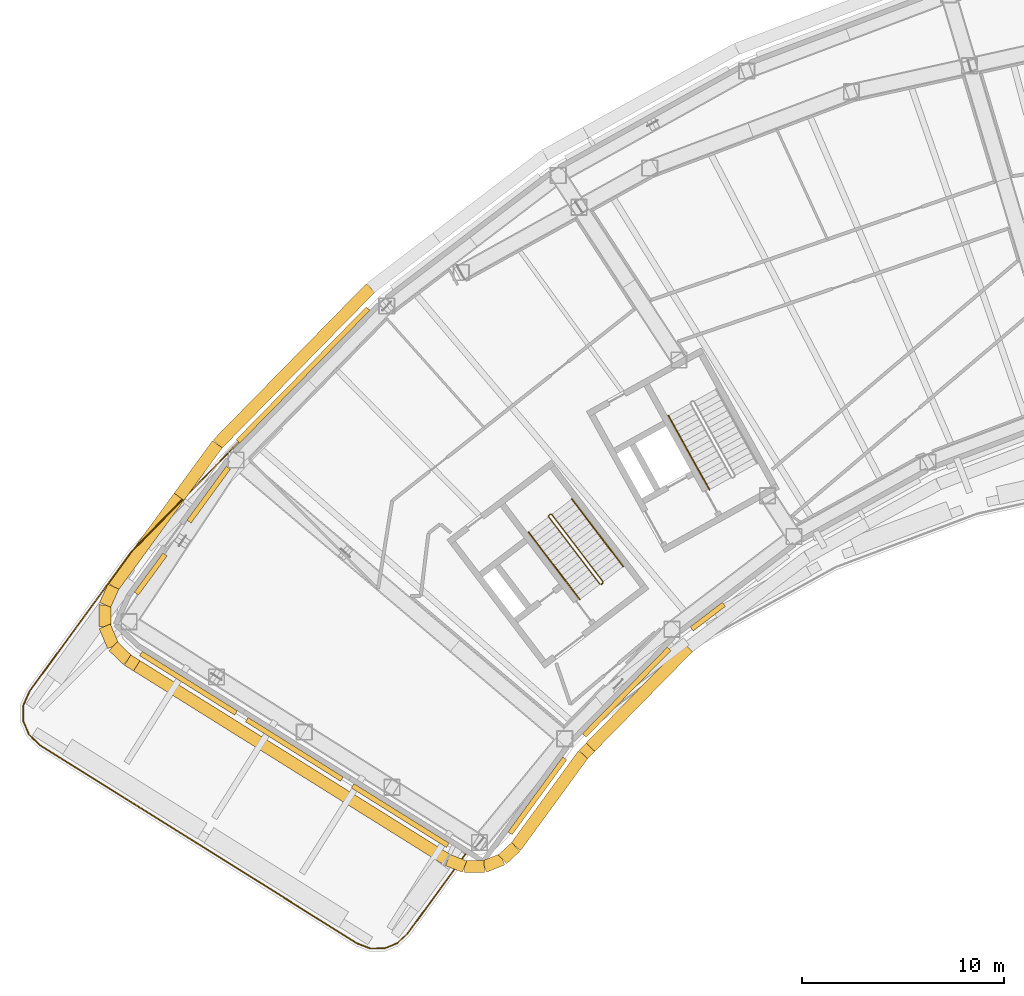
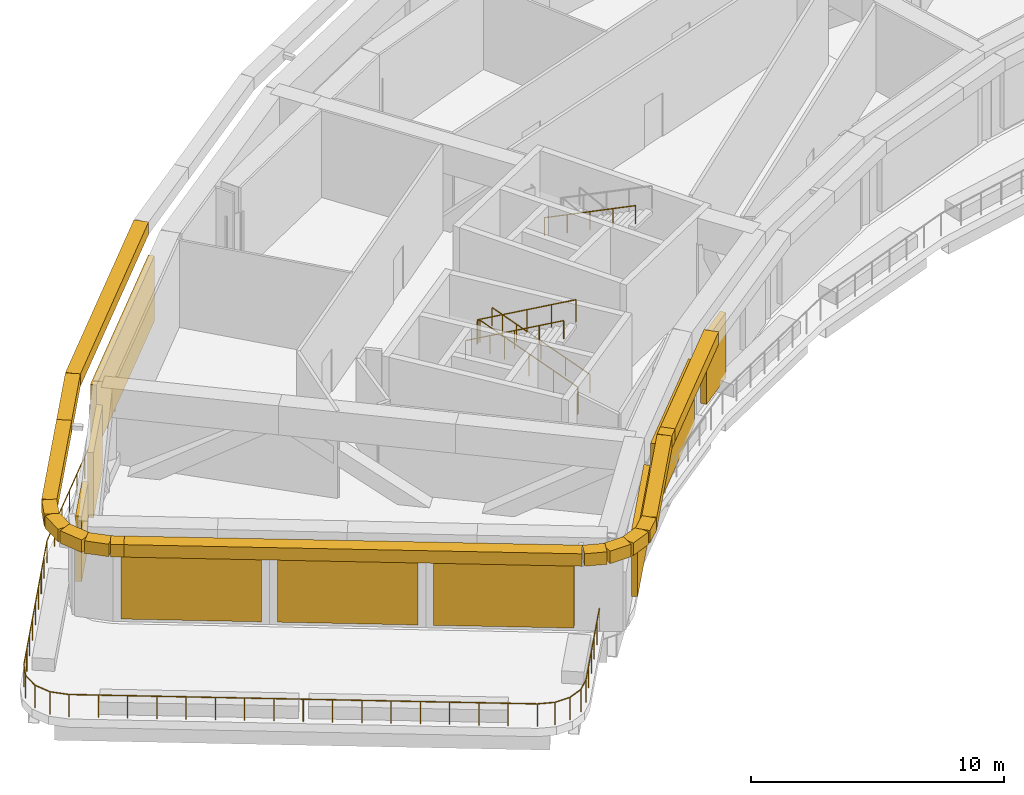
# One storey, part 20 of 25: 16 coverings, 9 shading devices, 5 railings.
"""IFC4 building model written with IfcOpenShell, lengths in metres."""

from ifc_helpers import new_model, si_unit, direction, frame, origin, origin_2d, place, context, subcontext, project, spatial, rectangle, circle, extrude, material, material_profile, profile_set, type_object, element, save


model = new_model("IFC4")

# Units and contexts
model_context = context("Model", 3, precision=1e-05, world=origin(), true_north=direction((0.0, 1.0)))
body_context = subcontext(model_context, "Body", "Model", "MODEL_VIEW")
ifc_project = project(units=[si_unit("LENGTHUNIT", "METRE"), si_unit("AREAUNIT", "SQUARE_METRE"), si_unit("VOLUMEUNIT", "CUBIC_METRE"), si_unit("PLANEANGLEUNIT", "RADIAN"), si_unit("MASSUNIT", "GRAM", prefix="KILO")], contexts=[model_context])

# Site, building, storey
site_placement = place(None, origin())
site = spatial("IfcSite", under=ifc_project, at=site_placement, CompositionType="ELEMENT")
building_placement = place(site_placement, origin())
building = spatial("IfcBuilding", under=site, at=building_placement, Name="Tuul Gate Civic Tower", CompositionType="ELEMENT")
storey_placement = place(building_placement, frame((0.0, 0.0, 60.89990234375)))
storey = spatial("IfcBuildingStorey", under=building, at=storey_placement, Name="Plant and refuge floor 2", CompositionType="ELEMENT", Elevation=60.89990234375)

# Shading devices
ifc_material_1 = material(Name="Aluminium louvre", Category="aluminium")
shading_device_type = type_object("IfcShadingDeviceType", Name="Louvre panel", PredefinedType="USERDEFINED", material=ifc_material_1)
shading_device_1_placement = place(storey_placement, frame((-48.2373046875, -3.194091796875, 0.300048828125), z_axis=(0.0, 0.0, 1.0), x_axis=(-0.714100212908, 0.700043488595, 0.0)))
element("IfcShadingDevice", 1, at=shading_device_1_placement, inside=storey, type_object=shading_device_type, Name="Louvre panel", ObjectType="LOUVRE", PredefinedType="USERDEFINED", context=body_context, shape_type="SweptSolid", body=[
    extrude(rectangle(XDim=0.25, YDim=9.199951171875, at=origin_2d()), origin(), (0.0, 0.0, 1.0), 3.14990234375),
])
for number, where, z_axis, x_axis, name in (
    (2, (-53.91259765625, -18.46923828125, 0.300048828125), (0.0, 0.0, 1.0), (-0.529911707044, -0.848052818366, 0.0), "Louvre panel"),
    (3, (-48.669189453125, -21.74560546875, 0.300048828125), (0.0, 0.0, 1.0), (-0.529911707044, -0.848052818366, 0.0), "Louvre panel"),
    (4, (-43.426025390625, -25.021728515625, 0.300048828125), (0.0, 0.0, 1.0), (-0.529911707044, -0.848052818366, 0.0), "Louvre panel"),
):
    element("IfcShadingDevice", number, at=place(storey_placement, frame(where, z_axis=z_axis, x_axis=x_axis)), inside=storey, type_object=shading_device_type, Name=name, ObjectType="LOUVRE", PredefinedType="USERDEFINED", context=body_context, shape_type="SweptSolid", body=[
        extrude(rectangle(XDim=0.25, YDim=5.550048828125, at=origin_2d()), origin(), (0.0, 0.0, 1.0), 3.14990234375),
    ])
shading_device_2_placement = place(storey_placement, frame((-36.628173828125, -24.0478515625, 0.300048828125), z_axis=(0.0, 0.0, 1.0), x_axis=(0.807595190444, -0.589737236717, 0.0)))
element("IfcShadingDevice", 5, at=shading_device_2_placement, inside=storey, type_object=shading_device_type, Name="Louvre panel", ObjectType="LOUVRE", PredefinedType="USERDEFINED", context=body_context, shape_type="SweptSolid", body=[
    extrude(rectangle(XDim=0.25, YDim=4.60009765625, at=origin_2d()), origin(), (0.0, 0.0, 1.0), 3.14990234375),
])
shading_device_3_placement = place(storey_placement, frame((-32.205322265625, -18.909423828125, 0.300048828125), z_axis=(0.0, 0.0, 1.0), x_axis=(0.714048093092, -0.700096651008, 0.0)))
element("IfcShadingDevice", 6, at=shading_device_3_placement, inside=storey, type_object=shading_device_type, Name="Louvre panel", ObjectType="LOUVRE", PredefinedType="USERDEFINED", context=body_context, shape_type="SweptSolid", body=[
    extrude(rectangle(XDim=0.25, YDim=6.0, at=origin_2d()), origin(), (0.0, 0.0, 1.0), 3.14990234375),
])
shading_device_4_placement = place(storey_placement, frame((-28.186767578125, -15.170166015625, 0.300048828125), z_axis=(0.0, 0.0, 1.0), x_axis=(0.605851052715, -0.795578092914, 0.0)))
element("IfcShadingDevice", 7, at=shading_device_4_placement, inside=storey, type_object=shading_device_type, Name="Louvre panel", ObjectType="LOUVRE", PredefinedType="USERDEFINED", context=body_context, shape_type="SweptSolid", body=[
    extrude(rectangle(XDim=0.25, YDim=2.0, at=origin_2d()), origin(), (0.0, 0.0, 1.0), 3.14990234375),
])
shading_device_5_placement = place(storey_placement, frame((-52.912109375, -9.1279296875, 0.300048828125), z_axis=(0.0, 0.0, 1.0), x_axis=(0.80757848712, -0.589760109825, 0.0)))
element("IfcShadingDevice", 8, at=shading_device_5_placement, inside=storey, type_object=shading_device_type, Name="Louvre panel", ObjectType="LOUVRE", PredefinedType="USERDEFINED", context=body_context, shape_type="SweptSolid", body=[
    extrude(rectangle(XDim=0.25, YDim=3.300048828125, at=origin_2d()), origin(), (0.0, 0.0, 1.0), 3.14990234375),
])
shading_device_6_placement = place(storey_placement, frame((-55.783447265625, -13.059814453125, 0.300048828125), z_axis=(0.0, 0.0, 1.0), x_axis=(0.80757848712, -0.589760109825, 0.0)))
element("IfcShadingDevice", 9, at=shading_device_6_placement, inside=storey, type_object=shading_device_type, Name="Louvre panel", ObjectType="LOUVRE", PredefinedType="USERDEFINED", context=body_context, shape_type="SweptSolid", body=[
    extrude(rectangle(XDim=0.25, YDim=2.39990234375, at=origin_2d()), origin(), (0.0, 0.0, 1.0), 3.14990234375),
])

# Railings
ifc_material_2 = material(Name="Painted steel", Category="steel")
railing_type_1 = type_object("IfcRailingType", Name="Stair guard", PredefinedType="GUARDRAIL", material=ifc_material_2)
railing_1_placement = place(storey_placement, frame((-33.382080078125, -13.515380859375, 0.0)))
element("IfcRailing", 10, at=railing_1_placement, inside=storey, type_object=railing_type_1, Name="Plant and refuge floor 2 ST-1 stair guard 1", PredefinedType="GUARDRAIL", context=body_context, shape_type="SweptSolid", body=[
    extrude(circle(Radius=0.02392578125, at=origin_2d()), frame((0.0, 0.0, 1.076171875), z_axis=(-0.795879841968, -0.605454603706, 0.0), x_axis=(0.605454603706, -0.795879841968, 0.0)), (0.0, 0.0, 1.0), 0.10009765625),
    extrude(circle(Radius=0.02392578125, at=origin_2d()), frame((-0.07958984375, -0.060546875, 1.076171875), z_axis=(0.408676696321, 0.599019267211, 0.688592241747), x_axis=(-0.826063974707, 0.563576356576, 0.0)), (0.0, 0.0, 1.0), 0.218017578125),
    extrude(circle(Radius=0.02392578125, at=origin_2d()), frame((0.009521484375, 0.070068359375, 1.22607421875), z_axis=(-0.541829058468, 0.711641332238, 0.44720005104), x_axis=(-0.795633173153, -0.605778716842, 0.0)), (0.0, 0.0, 1.0), 4.695556640625),
    extrude(circle(Radius=0.02392578125, at=origin_2d()), frame((-2.53466796875, 3.41162109375, 3.326171875), z_axis=(-0.990893089246, 0.134650977284, 0.0), x_axis=(-0.134650977284, -0.990893089246, 0.0)), (0.0, 0.0, 1.0), 0.07080078125),
    extrude(circle(Radius=0.02392578125, at=origin_2d()), frame((-2.604736328125, 3.421142578125, 3.326171875), z_axis=(-0.795879841968, -0.605454603706, 0.0), x_axis=(0.605454603706, -0.795879841968, 0.0)), (0.0, 0.0, 1.0), 0.10009765625),
    extrude(circle(Radius=0.02392578125, at=origin_2d()), frame((-2.684326171875, 3.360595703125, 3.326171875), z_axis=(-0.057370624079, -0.422188951554, 0.904690610473), x_axis=(0.990893089246, -0.134650977284, 0.0)), (0.0, 0.0, 1.0), 0.166015625),
    extrude(circle(Radius=0.02392578125, at=origin_2d()), frame((-2.69384765625, 3.29052734375, 3.47607421875), z_axis=(0.541829058468, -0.711641332238, 0.44720005104), x_axis=(0.795633173153, 0.605778716842, 0.0)), (0.0, 0.0, 1.0), 4.695556640625),
    extrude(circle(Radius=0.02099609375, at=origin_2d()), origin(), (0.0, 0.0, 1.0), 1.052001953125),
    extrude(circle(Radius=0.02099609375, at=origin_2d()), frame((-0.07958984375, -0.060546875, 0.0)), (0.0, 0.0, 1.0), 1.052001953125),
    extrude(circle(Radius=0.02099609375, at=origin_2d()), frame((0.009521484375, 0.070068359375, 0.150146484375)), (0.0, 0.0, 1.0), 1.052001953125),
    extrude(circle(Radius=0.02099609375, at=origin_2d()), frame((-0.62646484375, 0.905517578125, 0.675048828125)), (0.0, 0.0, 1.0), 1.052001953125),
    extrude(circle(Radius=0.02099609375, at=origin_2d()), frame((-1.2626953125, 1.74072265625, 1.2001953125)), (0.0, 0.0, 1.0), 1.052001953125),
    extrude(circle(Radius=0.02099609375, at=origin_2d()), frame((-1.898681640625, 2.576171875, 1.72509765625)), (0.0, 0.0, 1.0), 1.052001953125),
    extrude(circle(Radius=0.02099609375, at=origin_2d()), frame((-2.53466796875, 3.41162109375, 2.25)), (0.0, 0.0, 1.0), 1.052001953125),
    extrude(circle(Radius=0.02099609375, at=origin_2d()), frame((-2.604736328125, 3.421142578125, 2.25)), (0.0, 0.0, 1.0), 1.052001953125),
    extrude(circle(Radius=0.02099609375, at=origin_2d()), frame((-2.684326171875, 3.360595703125, 2.25)), (0.0, 0.0, 1.0), 1.052001953125),
    extrude(circle(Radius=0.02099609375, at=origin_2d()), frame((-2.69384765625, 3.29052734375, 2.400146484375)), (0.0, 0.0, 1.0), 1.052001953125),
    extrude(circle(Radius=0.02099609375, at=origin_2d()), frame((-2.057861328125, 2.455078125, 2.925048828125)), (0.0, 0.0, 1.0), 1.052001953125),
    extrude(circle(Radius=0.02099609375, at=origin_2d()), frame((-1.421875, 1.61962890625, 3.4501953125)), (0.0, 0.0, 1.0), 1.052001953125),
    extrude(circle(Radius=0.02099609375, at=origin_2d()), frame((-0.78564453125, 0.784423828125, 3.97509765625)), (0.0, 0.0, 1.0), 1.052001953125),
    extrude(circle(Radius=0.02099609375, at=origin_2d()), frame((-0.149658203125, -0.051025390625, 4.5)), (0.0, 0.0, 1.0), 1.052001953125),
])
ifc_material_3 = material(Name="Painted steel", Category="steel")
railing_type_2 = type_object("IfcRailingType", Name="Stair handrail", PredefinedType="HANDRAIL", material=ifc_material_3)
railing_2_placement = place(storey_placement, frame((-32.3779296875, -12.688232421875, 0.150146484375)))
element("IfcRailing", 11, at=railing_2_placement, inside=storey, type_object=railing_type_2, Name="Plant and refuge floor 2 ST-1 stair handrail 1", PredefinedType="HANDRAIL", context=body_context, shape_type="SweptSolid", body=[
    extrude(circle(Radius=0.02392578125, at=origin_2d()), frame((0.0, 0.0, 0.8759765625), z_axis=(-0.541809010604, 0.711666993297, 0.447183504482), x_axis=(-0.795654503725, -0.605750700125, 0.0)), (0.0, 0.0, 1.0), 4.69580078125),
    extrude(circle(Radius=0.02099609375, at=origin_2d()), origin(), (0.0, 0.0, 1.0), 0.851806640625),
    extrude(circle(Radius=0.02099609375, at=origin_2d()), frame((-0.635986328125, 0.83544921875, 0.52490234375)), (0.0, 0.0, 1.0), 0.851806640625),
    extrude(circle(Radius=0.02099609375, at=origin_2d()), frame((-1.27197265625, 1.6708984375, 1.0498046875)), (0.0, 0.0, 1.0), 0.851806640625),
    extrude(circle(Radius=0.02099609375, at=origin_2d()), frame((-1.908203125, 2.50634765625, 1.574951171875)), (0.0, 0.0, 1.0), 0.851806640625),
    extrude(circle(Radius=0.02099609375, at=origin_2d()), frame((-2.544189453125, 3.341796875, 2.099853515625)), (0.0, 0.0, 1.0), 0.851806640625),
])
railing_3_placement = place(storey_placement, frame((-37.0703125, -10.98193359375, 2.400146484375)))
element("IfcRailing", 12, at=railing_3_placement, inside=storey, type_object=railing_type_2, Name="Plant and refuge floor 2 ST-1 stair handrail 2", PredefinedType="HANDRAIL", context=body_context, shape_type="SweptSolid", body=[
    extrude(circle(Radius=0.02392578125, at=origin_2d()), frame((0.0, 0.0, 0.8759765625), z_axis=(0.541809010604, -0.711666993297, 0.447183504482), x_axis=(0.795654503725, 0.605750700125, 0.0)), (0.0, 0.0, 1.0), 4.69580078125),
    extrude(circle(Radius=0.02099609375, at=origin_2d()), origin(), (0.0, 0.0, 1.0), 0.851806640625),
    extrude(circle(Radius=0.02099609375, at=origin_2d()), frame((0.635986328125, -0.83544921875, 0.52490234375)), (0.0, 0.0, 1.0), 0.851806640625),
    extrude(circle(Radius=0.02099609375, at=origin_2d()), frame((1.27197265625, -1.6708984375, 1.0498046875)), (0.0, 0.0, 1.0), 0.851806640625),
    extrude(circle(Radius=0.02099609375, at=origin_2d()), frame((1.908203125, -2.50634765625, 1.574951171875)), (0.0, 0.0, 1.0), 0.851806640625),
    extrude(circle(Radius=0.02099609375, at=origin_2d()), frame((2.544189453125, -3.341796875, 2.099853515625)), (0.0, 0.0, 1.0), 0.851806640625),
])
railing_4_placement = place(storey_placement, frame((-30.142578125, -5.208740234375, 2.400146484375)))
element("IfcRailing", 13, at=railing_4_placement, inside=storey, type_object=railing_type_2, Name="Plant and refuge floor 2 ST-2 stair handrail 2", PredefinedType="HANDRAIL", context=body_context, shape_type="SweptSolid", body=[
    extrude(circle(Radius=0.02392578125, at=origin_2d()), frame((0.0, 0.0, 0.8759765625), z_axis=(0.433608177227, -0.782314417595, 0.447177929536), x_axis=(0.874636671229, 0.484779014956, 0.0)), (0.0, 0.0, 1.0), 4.69580078125),
    extrude(circle(Radius=0.02099609375, at=origin_2d()), origin(), (0.0, 0.0, 1.0), 0.851806640625),
    extrude(circle(Radius=0.02099609375, at=origin_2d()), frame((0.509033203125, -0.91845703125, 0.52490234375)), (0.0, 0.0, 1.0), 0.851806640625),
    extrude(circle(Radius=0.02099609375, at=origin_2d()), frame((1.01806640625, -1.8369140625, 1.0498046875)), (0.0, 0.0, 1.0), 0.851806640625),
    extrude(circle(Radius=0.02099609375, at=origin_2d()), frame((1.527099609375, -2.755126953125, 1.574951171875)), (0.0, 0.0, 1.0), 0.851806640625),
    extrude(circle(Radius=0.02099609375, at=origin_2d()), frame((2.0361328125, -3.673583984375, 2.099853515625)), (0.0, 0.0, 1.0), 0.851806640625),
])
ifc_material_4 = material(Name="Stainless steel", Category="steel")
railing_type_3 = type_object("IfcRailingType", Name="Terrace guard", PredefinedType="GUARDRAIL", material=ifc_material_4)
railing_5_placement = place(storey_placement, frame((-49.18896484375, -4.24609375, 0.0)))
element("IfcRailing", 14, at=railing_5_placement, inside=storey, type_object=railing_type_3, Name="Guard", PredefinedType="GUARDRAIL", context=body_context, shape_type="SweptSolid", body=[
    extrude(circle(Radius=0.02392578125, at=origin_2d()), frame((0.0, 0.0, 1.076171875), z_axis=(-0.70001057352, -0.714132478578, 0.0), x_axis=(0.714132478578, -0.70001057352, 0.0)), (0.0, 0.0, 1.0), 10.753173828125),
    extrude(circle(Radius=0.02392578125, at=origin_2d()), frame((-7.52734375, -7.67919921875, 1.076171875), z_axis=(-0.589712199688, -0.807613472856, 0.0), x_axis=(0.807613472856, -0.589712199688, 0.0)), (0.0, 0.0, 1.0), 8.587890625),
    extrude(circle(Radius=0.02392578125, at=origin_2d()), frame((-12.591796875, -14.614990234375, 1.076171875), z_axis=(-0.412989610667, -0.910735736359, 0.0), x_axis=(0.910735736359, -0.412989610667, 0.0)), (0.0, 0.0, 1.0), 0.76904296875),
    extrude(circle(Radius=0.02392578125, at=origin_2d()), frame((-12.909423828125, -15.3154296875, 1.076171875), z_axis=(-0.014923710973, -0.999888635224, 0.0), x_axis=(0.999888635224, -0.014923710973, 0.0)), (0.0, 0.0, 1.0), 0.75244140625),
    extrude(circle(Radius=0.02392578125, at=origin_2d()), frame((-12.920654296875, -16.06787109375, 1.076171875), z_axis=(0.386086812322, -0.922462450917, 0.0), x_axis=(0.922462450917, 0.386086812322, 0.0)), (0.0, 0.0, 1.0), 0.753662109375),
    extrude(circle(Radius=0.02392578125, at=origin_2d()), frame((-12.629638671875, -16.76318359375, 1.076171875), z_axis=(0.722186485961, -0.69169840212, 0.0), x_axis=(0.69169840212, 0.722186485961, 0.0)), (0.0, 0.0, 1.0), 0.768798828125),
    extrude(circle(Radius=0.02392578125, at=origin_2d()), frame((-12.074462890625, -17.294921875, 1.076171875), z_axis=(0.848033851669, -0.529942059496, 0.0), x_axis=(0.529942059496, 0.848033851669, 0.0)), (0.0, 0.0, 1.0), 18.519287109375),
    extrude(circle(Radius=0.02392578125, at=origin_2d()), frame((3.630615234375, -27.109130859375, 1.076171875), z_axis=(0.931913281541, -0.362681176361, 0.0), x_axis=(0.362681176361, 0.931913281541, 0.0)), (0.0, 0.0, 1.0), 0.7021484375),
    extrude(circle(Radius=0.02392578125, at=origin_2d()), frame((4.284912109375, -27.36376953125, 1.076171875), z_axis=(0.999992381518, 0.003903447905, 0.0), x_axis=(-0.003903447905, 0.999992381518, 0.0)), (0.0, 0.0, 1.0), 0.68798828125),
    extrude(circle(Radius=0.02392578125, at=origin_2d()), frame((4.972900390625, -27.361083984375, 1.076171875), z_axis=(0.9292820248, 0.369370976639, 0.0), x_axis=(-0.369370976639, 0.9292820248, 0.0)), (0.0, 0.0, 1.0), 0.68798828125),
    extrude(circle(Radius=0.02392578125, at=origin_2d()), frame((5.6123046875, -27.10693359375, 1.076171875), z_axis=(0.730176325427, 0.68325876049, 0.0), x_axis=(-0.68325876049, 0.730176325427, 0.0)), (0.0, 0.0, 1.0), 0.702392578125),
    extrude(circle(Radius=0.02392578125, at=origin_2d()), frame((6.125244140625, -26.626953125, 1.076171875), z_axis=(0.589821844597, 0.807533399703, 0.0), x_axis=(-0.807533399703, 0.589821844597, 0.0)), (0.0, 0.0, 1.0), 4.966552734375),
    extrude(circle(Radius=0.02099609375, at=origin_2d()), origin(), (0.0, 0.0, 1.0), 1.052001953125),
    extrude(circle(Radius=0.02099609375, at=origin_2d()), frame((-0.83642578125, -0.853271484375, 0.0)), (0.0, 0.0, 1.0), 1.052001953125),
    extrude(circle(Radius=0.02099609375, at=origin_2d()), frame((-1.6728515625, -1.70654296875, 0.0)), (0.0, 0.0, 1.0), 1.052001953125),
    extrude(circle(Radius=0.02099609375, at=origin_2d()), frame((-2.509033203125, -2.559814453125, 0.0)), (0.0, 0.0, 1.0), 1.052001953125),
    extrude(circle(Radius=0.02099609375, at=origin_2d()), frame((-3.345458984375, -3.4130859375, 0.0)), (0.0, 0.0, 1.0), 1.052001953125),
    extrude(circle(Radius=0.02099609375, at=origin_2d()), frame((-4.181884765625, -4.26611328125, 0.0)), (0.0, 0.0, 1.0), 1.052001953125),
    extrude(circle(Radius=0.02099609375, at=origin_2d()), frame((-5.018310546875, -5.119384765625, 0.0)), (0.0, 0.0, 1.0), 1.052001953125),
    extrude(circle(Radius=0.02099609375, at=origin_2d()), frame((-5.8544921875, -5.97265625, 0.0)), (0.0, 0.0, 1.0), 1.052001953125),
    extrude(circle(Radius=0.02099609375, at=origin_2d()), frame((-6.69091796875, -6.825927734375, 0.0)), (0.0, 0.0, 1.0), 1.052001953125),
    extrude(circle(Radius=0.02099609375, at=origin_2d()), frame((-7.52734375, -7.67919921875, 0.0)), (0.0, 0.0, 1.0), 1.052001953125),
    extrude(circle(Radius=0.02099609375, at=origin_2d()), frame((-8.160400390625, -8.546142578125, 0.0)), (0.0, 0.0, 1.0), 1.052001953125),
    extrude(circle(Radius=0.02099609375, at=origin_2d()), frame((-8.79345703125, -9.4130859375, 0.0)), (0.0, 0.0, 1.0), 1.052001953125),
    extrude(circle(Radius=0.02099609375, at=origin_2d()), frame((-9.426513671875, -10.280029296875, 0.0)), (0.0, 0.0, 1.0), 1.052001953125),
    extrude(circle(Radius=0.02099609375, at=origin_2d()), frame((-10.0595703125, -11.14697265625, 0.0)), (0.0, 0.0, 1.0), 1.052001953125),
    extrude(circle(Radius=0.02099609375, at=origin_2d()), frame((-10.692626953125, -12.01416015625, 0.0)), (0.0, 0.0, 1.0), 1.052001953125),
    extrude(circle(Radius=0.02099609375, at=origin_2d()), frame((-11.32568359375, -12.881103515625, 0.0)), (0.0, 0.0, 1.0), 1.052001953125),
    extrude(circle(Radius=0.02099609375, at=origin_2d()), frame((-11.958740234375, -13.748046875, 0.0)), (0.0, 0.0, 1.0), 1.052001953125),
    extrude(circle(Radius=0.02099609375, at=origin_2d()), frame((-12.591796875, -14.614990234375, 0.0)), (0.0, 0.0, 1.0), 1.052001953125),
    extrude(circle(Radius=0.02099609375, at=origin_2d()), frame((-12.909423828125, -15.3154296875, 0.0)), (0.0, 0.0, 1.0), 1.052001953125),
    extrude(circle(Radius=0.02099609375, at=origin_2d()), frame((-12.920654296875, -16.06787109375, 0.0)), (0.0, 0.0, 1.0), 1.052001953125),
    extrude(circle(Radius=0.02099609375, at=origin_2d()), frame((-12.629638671875, -16.76318359375, 0.0)), (0.0, 0.0, 1.0), 1.052001953125),
    extrude(circle(Radius=0.02099609375, at=origin_2d()), frame((-12.074462890625, -17.294921875, 0.0)), (0.0, 0.0, 1.0), 1.052001953125),
    extrude(circle(Radius=0.02099609375, at=origin_2d()), frame((-11.0927734375, -17.908203125, 0.0)), (0.0, 0.0, 1.0), 1.052001953125),
    extrude(circle(Radius=0.02099609375, at=origin_2d()), frame((-10.111328125, -18.521728515625, 0.0)), (0.0, 0.0, 1.0), 1.052001953125),
    extrude(circle(Radius=0.02099609375, at=origin_2d()), frame((-9.1298828125, -19.135009765625, 0.0)), (0.0, 0.0, 1.0), 1.052001953125),
    extrude(circle(Radius=0.02099609375, at=origin_2d()), frame((-8.148193359375, -19.74853515625, 0.0)), (0.0, 0.0, 1.0), 1.052001953125),
    extrude(circle(Radius=0.02099609375, at=origin_2d()), frame((-7.16650390625, -20.36181640625, 0.0)), (0.0, 0.0, 1.0), 1.052001953125),
    extrude(circle(Radius=0.02099609375, at=origin_2d()), frame((-6.18505859375, -20.975341796875, 0.0)), (0.0, 0.0, 1.0), 1.052001953125),
    extrude(circle(Radius=0.02099609375, at=origin_2d()), frame((-5.20361328125, -21.588623046875, 0.0)), (0.0, 0.0, 1.0), 1.052001953125),
    extrude(circle(Radius=0.02099609375, at=origin_2d()), frame((-4.221923828125, -22.2021484375, 0.0)), (0.0, 0.0, 1.0), 1.052001953125),
    extrude(circle(Radius=0.02099609375, at=origin_2d()), frame((-3.240234375, -22.8154296875, 0.0)), (0.0, 0.0, 1.0), 1.052001953125),
    extrude(circle(Radius=0.02099609375, at=origin_2d()), frame((-2.2587890625, -23.4287109375, 0.0)), (0.0, 0.0, 1.0), 1.052001953125),
    extrude(circle(Radius=0.02099609375, at=origin_2d()), frame((-1.27734375, -24.042236328125, 0.0)), (0.0, 0.0, 1.0), 1.052001953125),
    extrude(circle(Radius=0.02099609375, at=origin_2d()), frame((-0.295654296875, -24.655517578125, 0.0)), (0.0, 0.0, 1.0), 1.052001953125),
    extrude(circle(Radius=0.02099609375, at=origin_2d()), frame((0.68603515625, -25.26904296875, 0.0)), (0.0, 0.0, 1.0), 1.052001953125),
    extrude(circle(Radius=0.02099609375, at=origin_2d()), frame((1.66748046875, -25.88232421875, 0.0)), (0.0, 0.0, 1.0), 1.052001953125),
    extrude(circle(Radius=0.02099609375, at=origin_2d()), frame((2.64892578125, -26.495849609375, 0.0)), (0.0, 0.0, 1.0), 1.052001953125),
    extrude(circle(Radius=0.02099609375, at=origin_2d()), frame((3.630615234375, -27.109130859375, 0.0)), (0.0, 0.0, 1.0), 1.052001953125),
    extrude(circle(Radius=0.02099609375, at=origin_2d()), frame((4.284912109375, -27.36376953125, 0.0)), (0.0, 0.0, 1.0), 1.052001953125),
    extrude(circle(Radius=0.02099609375, at=origin_2d()), frame((4.972900390625, -27.361083984375, 0.0)), (0.0, 0.0, 1.0), 1.052001953125),
    extrude(circle(Radius=0.02099609375, at=origin_2d()), frame((5.6123046875, -27.10693359375, 0.0)), (0.0, 0.0, 1.0), 1.052001953125),
    extrude(circle(Radius=0.02099609375, at=origin_2d()), frame((6.125244140625, -26.626953125, 0.0)), (0.0, 0.0, 1.0), 1.052001953125),
    extrude(circle(Radius=0.02099609375, at=origin_2d()), frame((6.711181640625, -25.82470703125, 0.0)), (0.0, 0.0, 1.0), 1.052001953125),
    extrude(circle(Radius=0.02099609375, at=origin_2d()), frame((7.297119140625, -25.022705078125, 0.0)), (0.0, 0.0, 1.0), 1.052001953125),
    extrude(circle(Radius=0.02099609375, at=origin_2d()), frame((7.8828125, -24.220458984375, 0.0)), (0.0, 0.0, 1.0), 1.052001953125),
    extrude(circle(Radius=0.02099609375, at=origin_2d()), frame((8.46875, -23.41845703125, 0.0)), (0.0, 0.0, 1.0), 1.052001953125),
    extrude(circle(Radius=0.02099609375, at=origin_2d()), frame((9.0546875, -22.6162109375, 0.0)), (0.0, 0.0, 1.0), 1.052001953125),
])

# Coverings
ifc_material_5 = material(Name="Terracotta baguette", Category="masonry")
ifc_material_profile = material_profile(ifc_material_5, rectangle(XDim=0.60009765625, YDim=0.60009765625, at=origin_2d()), Name="Terracotta baguette screen frame")
ifc_profile_set = profile_set([ifc_material_profile], Name="Terracotta baguette")
covering_type = type_object("IfcCoveringType", Name="Terracotta baguette screen frame", PredefinedType="CLADDING", material=ifc_profile_set)
covering_1_placement = place(storey_placement, frame((-54.38134765625, -9.232177734375, 4.150146484375), z_axis=(-0.589750135482, -0.80758577111, 0.0), x_axis=(0.80758577111, -0.589750135482, 0.0)))
element("IfcCovering", 15, at=covering_1_placement, inside=storey, type_object=covering_type, Name="Baguette 129", PredefinedType="CLADDING", context=body_context, shape_type="SweptSolid", body=[
    extrude(rectangle(XDim=0.60009765625, YDim=0.60009765625, at=origin_2d()), origin(), (0.0, 0.0, 1.0), 5.51416015625),
])
covering_2_placement = place(storey_placement, frame((-57.63330078125, -13.685302734375, 4.150146484375), z_axis=(-0.412348754484, -0.911026072445, 0.0), x_axis=(0.911026072445, -0.412348754484, 0.0)))
element("IfcCovering", 16, at=covering_2_placement, inside=storey, type_object=covering_type, Name="Baguette 130", PredefinedType="CLADDING", context=body_context, shape_type="SweptSolid", body=[
    extrude(rectangle(XDim=0.60009765625, YDim=0.60009765625, at=origin_2d()), origin(), (0.0, 0.0, 1.0), 0.987060546875),
])
for number, where, z_axis, x_axis, name in (
    (17, (-58.040283203125, -14.58447265625, 4.150146484375), (-0.016005267214, -0.999871907507, 0.0), (0.999871907507, -0.016005267214, 0.0), "Baguette 131"),
    (18, (-58.057373046875, -15.652099609375, 4.150146484375), (0.386870941786, -0.922133870109, 0.0), (0.922133870109, 0.386870941786, 0.0), "Baguette 132"),
):
    element("IfcCovering", number, at=place(storey_placement, frame(where, z_axis=z_axis, x_axis=x_axis)), inside=storey, type_object=covering_type, Name=name, PredefinedType="CLADDING", context=body_context, shape_type="SweptSolid", body=[
        extrude(rectangle(XDim=0.60009765625, YDim=0.60009765625, at=origin_2d()), origin(), (0.0, 0.0, 1.0), 1.06787109375),
    ])
covering_3_placement = place(storey_placement, frame((-57.644287109375, -16.63671875, 4.150146484375), z_axis=(0.72214250975, -0.691744313755, 0.0), x_axis=(0.691744313755, 0.72214250975, 0.0)))
element("IfcCovering", 19, at=covering_3_placement, inside=storey, type_object=covering_type, Name="Baguette 133", PredefinedType="CLADDING", context=body_context, shape_type="SweptSolid", body=[
    extrude(rectangle(XDim=0.60009765625, YDim=0.60009765625, at=origin_2d()), origin(), (0.0, 0.0, 1.0), 0.98779296875),
])
covering_4_placement = place(storey_placement, frame((-56.930908203125, -17.320068359375, 4.150146484375), z_axis=(0.848075017606, -0.529876178472, 0.0), x_axis=(0.529876178472, 0.848075017606, 0.0)))
element("IfcCovering", 20, at=covering_4_placement, inside=storey, type_object=covering_type, Name="Baguette 134", PredefinedType="CLADDING", context=body_context, shape_type="SweptSolid", body=[
    extrude(rectangle(XDim=0.60009765625, YDim=0.60009765625, at=origin_2d()), origin(), (0.0, 0.0, 1.0), 0.536376953125),
])
covering_5_placement = place(storey_placement, frame((-41.07568359375, -27.227294921875, 4.150146484375), z_axis=(0.931801188997, -0.362969067807, 0.0), x_axis=(0.362969067807, 0.931801188997, 0.0)))
element("IfcCovering", 21, at=covering_5_placement, inside=storey, type_object=covering_type, Name="Baguette 158", PredefinedType="CLADDING", context=body_context, shape_type="SweptSolid", body=[
    extrude(rectangle(XDim=0.60009765625, YDim=0.60009765625, at=origin_2d()), origin(), (0.0, 0.0, 1.0), 0.9013671875),
])
covering_6_placement = place(storey_placement, frame((-40.23583984375, -27.554443359375, 4.150146484375), z_axis=(0.999995475178, 0.003008259138, 0.0), x_axis=(-0.003008259138, 0.999995475178, 0.0)))
element("IfcCovering", 22, at=covering_6_placement, inside=storey, type_object=covering_type, Name="Baguette 159", PredefinedType="CLADDING", context=body_context, shape_type="SweptSolid", body=[
    extrude(rectangle(XDim=0.60009765625, YDim=0.60009765625, at=origin_2d()), origin(), (0.0, 0.0, 1.0), 0.973876953125),
])
covering_7_placement = place(storey_placement, frame((-39.261962890625, -27.551513671875, 4.150146484375), z_axis=(0.929012088732, 0.370049373719, 0.0), x_axis=(-0.370049373719, 0.929012088732, 0.0)))
element("IfcCovering", 23, at=covering_7_placement, inside=storey, type_object=covering_type, Name="Baguette 160", PredefinedType="CLADDING", context=body_context, shape_type="SweptSolid", body=[
    extrude(rectangle(XDim=0.60009765625, YDim=0.60009765625, at=origin_2d()), origin(), (0.0, 0.0, 1.0), 0.97314453125),
])
covering_8_placement = place(storey_placement, frame((-38.35791015625, -27.19140625, 4.150146484375), z_axis=(0.729883388516, 0.68357167815, 0.0), x_axis=(-0.68357167815, 0.729883388516, 0.0)))
element("IfcCovering", 24, at=covering_8_placement, inside=storey, type_object=covering_type, Name="Baguette 161", PredefinedType="CLADDING", context=body_context, shape_type="SweptSolid", body=[
    extrude(rectangle(XDim=0.60009765625, YDim=0.60009765625, at=origin_2d()), origin(), (0.0, 0.0, 1.0), 0.9013671875),
])
covering_9_placement = place(storey_placement, frame((-37.699951171875, -26.5751953125, 4.150146484375), z_axis=(0.589729447422, 0.807600878432, 0.0), x_axis=(-0.807600878432, 0.589729447422, 0.0)))
element("IfcCovering", 25, at=covering_9_placement, inside=storey, type_object=covering_type, Name="Baguette 162", PredefinedType="CLADDING", context=body_context, shape_type="SweptSolid", body=[
    extrude(rectangle(XDim=0.60009765625, YDim=0.60009765625, at=origin_2d()), origin(), (0.0, 0.0, 1.0), 5.671142578125),
])
covering_10_placement = place(storey_placement, frame((-34.35546875, -21.9951171875, 4.150146484375), z_axis=(0.700372885363, 0.713777151111, 0.0), x_axis=(-0.713777151111, 0.700372885363, 0.0)))
element("IfcCovering", 26, at=covering_10_placement, inside=storey, type_object=covering_type, Name="Baguette 163", PredefinedType="CLADDING", context=body_context, shape_type="SweptSolid", body=[
    extrude(rectangle(XDim=0.60009765625, YDim=0.60009765625, at=origin_2d()), origin(), (0.0, 0.0, 1.0), 0.510009765625),
])
covering_11_placement = place(storey_placement, frame((-44.885498046875, 1.117919921875, 4.150146484375), z_axis=(-0.700040817339, -0.714102831572, 0.0), x_axis=(0.714102831572, -0.700040817339, 0.0)))
element("IfcCovering", 27, at=covering_11_placement, inside=storey, type_object=covering_type, Name="Baguette 382", PredefinedType="CLADDING", context=body_context, shape_type="SweptSolid", body=[
    extrude(rectangle(XDim=0.60009765625, YDim=0.60009765625, at=origin_2d()), origin(), (0.0, 0.0, 1.0), 10.85107421875),
])
covering_12_placement = place(storey_placement, frame((-52.481689453125, -6.630859375, 4.150146484375), z_axis=(-0.589752411971, -0.807584108669, 0.0), x_axis=(0.807584108669, -0.589752411971, 0.0)))
element("IfcCovering", 28, at=covering_12_placement, inside=storey, type_object=covering_type, Name="Baguette 383", PredefinedType="CLADDING", context=body_context, shape_type="SweptSolid", body=[
    extrude(rectangle(XDim=0.60009765625, YDim=0.60009765625, at=origin_2d()), origin(), (0.0, 0.0, 1.0), 3.22119140625),
])
covering_13_placement = place(storey_placement, frame((-56.47607421875, -17.604248046875, 4.150146484375), z_axis=(0.848051326016, -0.529914095342, 0.0), x_axis=(0.529914095342, 0.848051326016, 0.0)))
element("IfcCovering", 29, at=covering_13_placement, inside=storey, type_object=covering_type, Name="Baguette 384", PredefinedType="CLADDING", context=body_context, shape_type="SweptSolid", body=[
    extrude(rectangle(XDim=0.60009765625, YDim=0.60009765625, at=origin_2d()), origin(), (0.0, 0.0, 1.0), 18.106201171875),
])
covering_14_placement = place(storey_placement, frame((-33.998291015625, -21.631103515625, 4.150146484375), z_axis=(0.700091906079, 0.71405274528, 0.0), x_axis=(-0.71405274528, 0.700091906079, 0.0)))
element("IfcCovering", 30, at=covering_14_placement, inside=storey, type_object=covering_type, Name="Baguette 385", PredefinedType="CLADDING", context=body_context, shape_type="SweptSolid", body=[
    extrude(rectangle(XDim=0.60009765625, YDim=0.60009765625, at=origin_2d()), origin(), (0.0, 0.0, 1.0), 6.907470703125),
])

save(model, "model.ifc")
